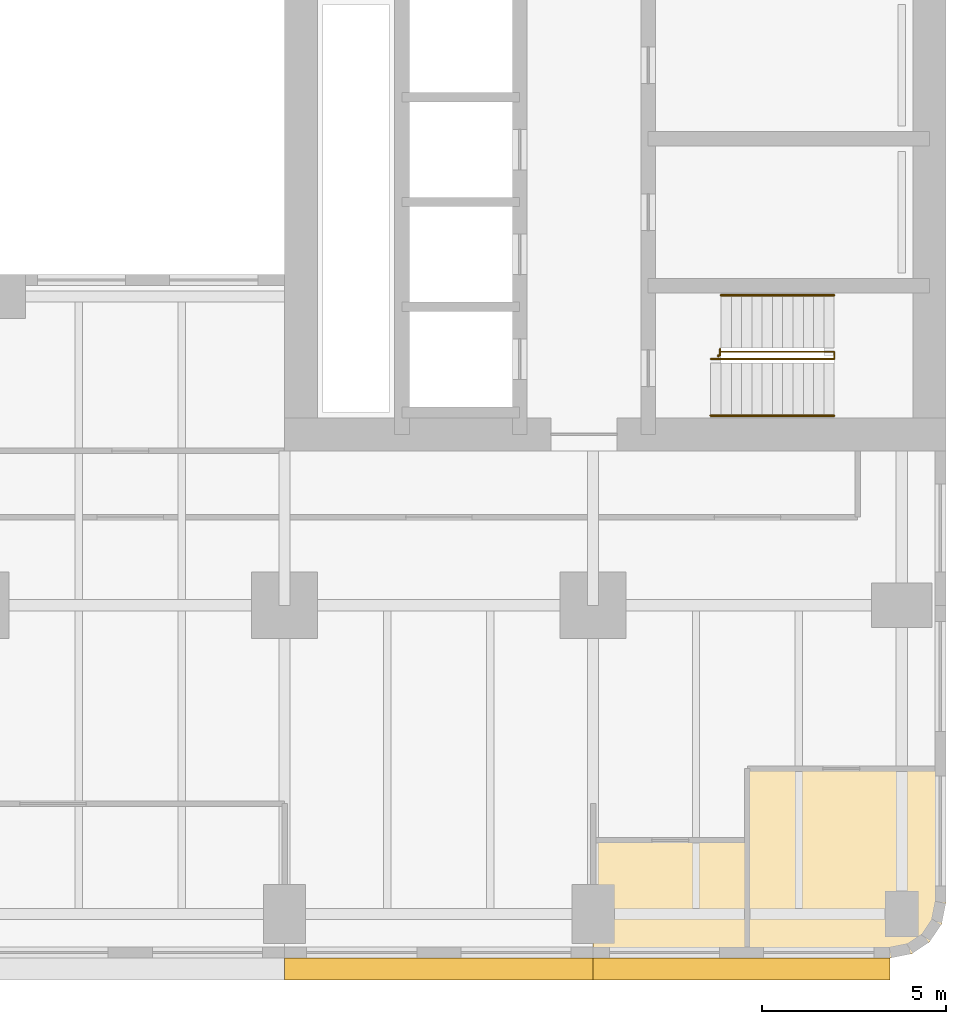
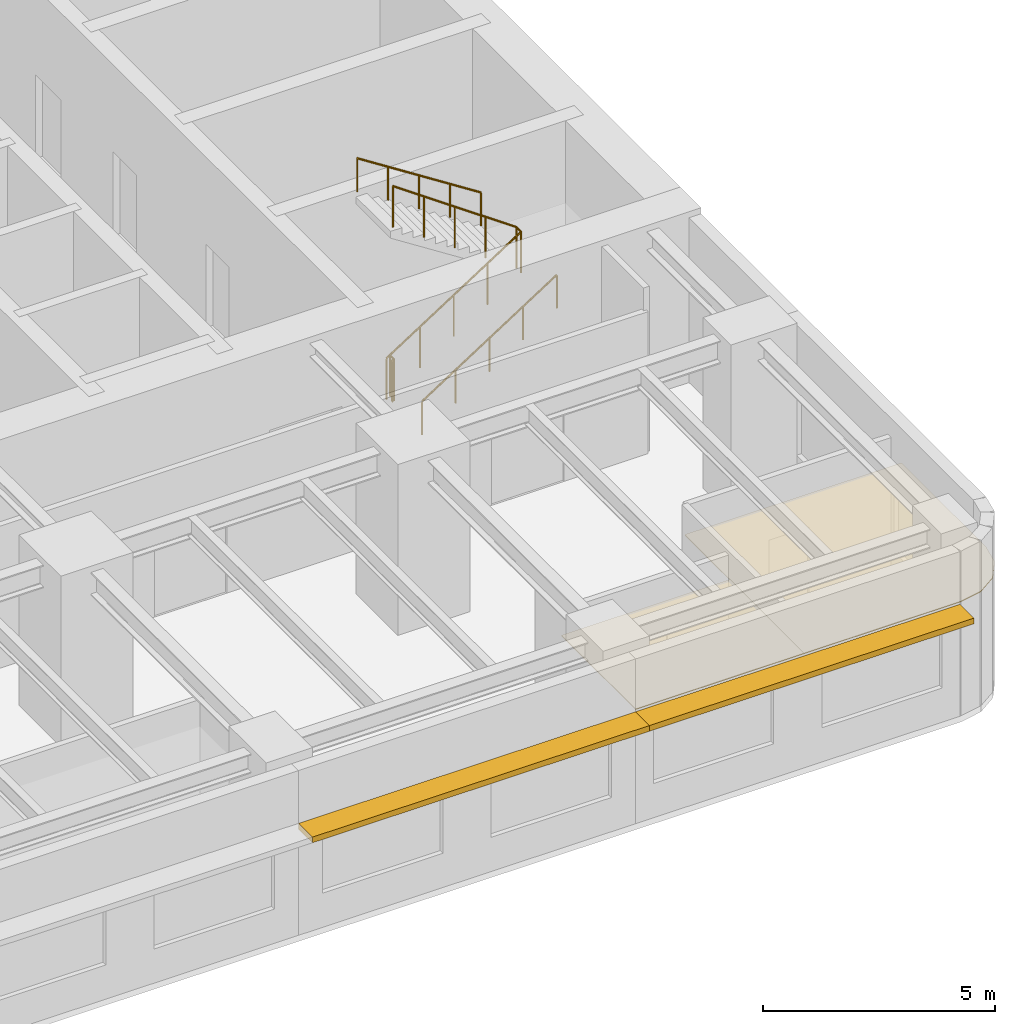
# One storey, part 10 of 12: 4 railings, 2 coverings, 2 shading devices.
"""IFC4 building model written with IfcOpenShell, lengths in metres."""

from ifc_helpers import new_model, si_unit, direction, frame, origin, origin_2d, place, context, subcontext, project, spatial, polyline, rectangle, circle, outline, extrude, material, layer, layer_set, type_object, element, save


model = new_model("IFC4")

# Units and contexts
model_context = context("Model", 3, precision=1e-05, world=origin(), true_north=direction((0.0, 1.0)))
body_context = subcontext(model_context, "Body", "Model", "MODEL_VIEW")
ifc_project = project(units=[si_unit("LENGTHUNIT", "METRE"), si_unit("AREAUNIT", "SQUARE_METRE"), si_unit("VOLUMEUNIT", "CUBIC_METRE"), si_unit("PLANEANGLEUNIT", "RADIAN"), si_unit("MASSUNIT", "GRAM", prefix="KILO")], contexts=[model_context])

# Site, building, storey
site_placement = place(None, origin())
site = spatial("IfcSite", under=ifc_project, at=site_placement, CompositionType="ELEMENT")
building_placement = place(site_placement, origin())
building = spatial("IfcBuilding", under=site, at=building_placement, Name="Claustro Exchange Tower", CompositionType="ELEMENT")
storey_placement = place(building_placement, frame((0.0, 0.0, 50.39990234375)))
storey = spatial("IfcBuildingStorey", under=building, at=storey_placement, Name="L11", CompositionType="ELEMENT", Elevation=50.39990234375)

# Coverings
ifc_material_1 = material(Name="Gypsum board ceiling", Category="gypsum board")
ifc_layer_1 = layer(ifc_material_1, 0.02490234375)
ifc_layer_set_1 = layer_set([ifc_layer_1], Name="Gypsum board ceiling")
covering_type = type_object("IfcCoveringType", Name="CL2 plasterboard ceiling", PredefinedType="CEILING", material=ifc_layer_set_1)
covering_1_placement = place(storey_placement, frame((0.0, 0.0, 3.0)))
element("IfcCovering", 1, at=covering_1_placement, inside=storey, type_object=covering_type, Name="Ceiling CL2 L11-01", PredefinedType="CEILING", context=body_context, shape_type="SweptSolid", body=[
    extrude(outline(polyline([(42.0, -1.199951171875), (46.199951171875, -1.199951171875), (46.199951171875, 2.0), (42.0, 2.0), (42.0, -1.199951171875)])), origin(), (0.0, 0.0, 1.0), 0.025146484375),
])
covering_2_placement = place(storey_placement, frame((0.0, 0.0, 3.0)))
element("IfcCovering", 2, at=covering_2_placement, inside=storey, type_object=covering_type, Name="Ceiling CL2 L11-06", PredefinedType="CEILING", context=body_context, shape_type="SweptSolid", body=[
    extrude(outline(polyline([(51.60009765625, 0.300048828125), (51.60009765625, 3.949951171875), (46.199951171875, 3.949951171875), (46.199951171875, -1.199951171875), (50.10009765625, -1.199951171875), (50.674072265625, -1.085693359375), (51.16064453125, -0.7607421875), (51.48583984375, -0.27392578125), (51.60009765625, 0.300048828125)])), origin(), (0.0, 0.0, 1.0), 0.025146484375),
])

# Railings
ifc_material_2 = material(Name="Steel balustrade, painted", Category="steel")
railing_type_1 = type_object("IfcRailingType", Name="GR2 1100 steel stair guard", PredefinedType="GUARDRAIL", material=ifc_material_2)
railing_1_placement = place(storey_placement, frame((45.199951171875, 15.10009765625, 0.18017578125)))
element("IfcRailing", 3, at=railing_1_placement, inside=storey, type_object=railing_type_1, Name="Stair well guard GR2 stair STEA L11", PredefinedType="GUARDRAIL", context=body_context, shape_type="SweptSolid", body=[
    extrude(circle(Radius=0.02392578125, at=origin_2d()), frame((0.0, 0.0, 1.076171875), z_axis=(0.84119634759, 0.0, 0.540729789082), x_axis=(0.0, 1.0, 0.0)), (0.0, 0.0, 1.0), 3.994384765625),
    extrude(circle(Radius=0.02392578125, at=origin_2d()), frame((3.360107421875, 0.0, 3.23583984375), z_axis=(0.0, 1.0, 0.0), x_axis=(-1.0, 0.0, 0.0)), (0.0, 0.0, 1.0), 0.199951171875),
    extrude(circle(Radius=0.02392578125, at=origin_2d()), frame((3.360107421875, 0.199951171875, 3.23583984375), z_axis=(-0.8187499073, 0.0, 0.574150319426), x_axis=(0.0, -1.0, 0.0)), (0.0, 0.0, 1.0), 3.761962890625),
    extrude(circle(Radius=0.02099609375, at=origin_2d()), origin(), (0.0, 0.0, 1.0), 1.052001953125),
    extrude(circle(Radius=0.02099609375, at=origin_2d()), frame((0.840087890625, 0.0, 0.5400390625)), (0.0, 0.0, 1.0), 1.052001953125),
    extrude(circle(Radius=0.02099609375, at=origin_2d()), frame((1.68017578125, 0.0, 1.080078125)), (0.0, 0.0, 1.0), 1.052001953125),
    extrude(circle(Radius=0.02099609375, at=origin_2d()), frame((2.52001953125, 0.0, 1.619873046875)), (0.0, 0.0, 1.0), 1.052001953125),
    extrude(circle(Radius=0.02099609375, at=origin_2d()), frame((3.360107421875, 0.0, 2.159912109375)), (0.0, 0.0, 1.0), 1.052001953125),
    extrude(circle(Radius=0.02099609375, at=origin_2d()), frame((3.360107421875, 0.199951171875, 2.159912109375)), (0.0, 0.0, 1.0), 1.052001953125),
    extrude(circle(Radius=0.02099609375, at=origin_2d()), frame((2.590087890625, 0.199951171875, 2.699951171875)), (0.0, 0.0, 1.0), 1.052001953125),
    extrude(circle(Radius=0.02099609375, at=origin_2d()), frame((1.820068359375, 0.199951171875, 3.23974609375)), (0.0, 0.0, 1.0), 1.052001953125),
    extrude(circle(Radius=0.02099609375, at=origin_2d()), frame((1.050048828125, 0.199951171875, 3.77978515625)), (0.0, 0.0, 1.0), 1.052001953125),
    extrude(circle(Radius=0.02099609375, at=origin_2d()), frame((0.280029296875, 0.199951171875, 4.31982421875)), (0.0, 0.0, 1.0), 1.052001953125),
])
railing_2_placement = place(storey_placement, frame((45.39990234375, 15.169921875, 0.0)))
element("IfcRailing", 4, at=railing_2_placement, inside=storey, type_object=railing_type_1, Name="Stair guard GR2 STEA L11", PredefinedType="GUARDRAIL", context=body_context, shape_type="SweptSolid", body=[
    extrude(circle(Radius=0.02392578125, at=origin_2d()), frame((0.0, 0.0, 1.076171875), z_axis=(0.0, 1.0, 0.0), x_axis=(-1.0, 0.0, 0.0)), (0.0, 0.0, 1.0), 0.030029296875),
    extrude(circle(Radius=0.02392578125, at=origin_2d()), frame((0.0, 0.030029296875, 1.076171875), z_axis=(1.0, 0.0, 0.0), x_axis=(0.0, 1.0, 0.0)), (0.0, 0.0, 1.0), 0.05517578125),
    extrude(circle(Radius=0.02392578125, at=origin_2d()), frame((0.05517578125, 0.030029296875, 1.076171875), z_axis=(0.0, 1.0, 0.0), x_axis=(-1.0, 0.0, 0.0)), (0.0, 0.0, 1.0), 0.179931640625),
    extrude(circle(Radius=0.02099609375, at=origin_2d()), origin(), (0.0, 0.0, 1.0), 1.052001953125),
    extrude(circle(Radius=0.02099609375, at=origin_2d()), frame((0.0, 0.030029296875, 0.0)), (0.0, 0.0, 1.0), 1.052001953125),
    extrude(circle(Radius=0.02099609375, at=origin_2d()), frame((0.05517578125, 0.030029296875, 0.0)), (0.0, 0.0, 1.0), 1.052001953125),
    extrude(circle(Radius=0.02099609375, at=origin_2d()), frame((0.05517578125, 0.2099609375, 0.0)), (0.0, 0.0, 1.0), 1.052001953125),
])
ifc_material_3 = material(Name="Stainless steel tube", Category="steel")
railing_type_2 = type_object("IfcRailingType", Name="HR1 900 stair handrail", PredefinedType="HANDRAIL", material=ifc_material_3)
railing_3_placement = place(storey_placement, frame((45.199951171875, 13.56005859375, 0.18017578125)))
element("IfcRailing", 5, at=railing_3_placement, inside=storey, type_object=railing_type_2, Name="Handrail HR1 stair STEA L11", PredefinedType="HANDRAIL", context=body_context, shape_type="SweptSolid", body=[
    extrude(circle(Radius=0.02392578125, at=origin_2d()), frame((0.0, 0.0, 0.8759765625), z_axis=(0.84119634759, 0.0, 0.540729789082), x_axis=(0.0, 1.0, 0.0)), (0.0, 0.0, 1.0), 3.994384765625),
    extrude(circle(Radius=0.02099609375, at=origin_2d()), origin(), (0.0, 0.0, 1.0), 0.851806640625),
    extrude(circle(Radius=0.02099609375, at=origin_2d()), frame((0.840087890625, 0.0, 0.5400390625)), (0.0, 0.0, 1.0), 0.851806640625),
    extrude(circle(Radius=0.02099609375, at=origin_2d()), frame((1.68017578125, 0.0, 1.080078125)), (0.0, 0.0, 1.0), 0.851806640625),
    extrude(circle(Radius=0.02099609375, at=origin_2d()), frame((2.52001953125, 0.0, 1.619873046875)), (0.0, 0.0, 1.0), 0.851806640625),
    extrude(circle(Radius=0.02099609375, at=origin_2d()), frame((3.360107421875, 0.0, 2.159912109375)), (0.0, 0.0, 1.0), 0.851806640625),
])
railing_4_placement = place(storey_placement, frame((48.56005859375, 16.840087890625, 2.52001953125)))
element("IfcRailing", 6, at=railing_4_placement, inside=storey, type_object=railing_type_2, Name="Handrail HR1 stair STEA L11", PredefinedType="HANDRAIL", context=body_context, shape_type="SweptSolid", body=[
    extrude(circle(Radius=0.02392578125, at=origin_2d()), frame((0.0, 0.0, 0.8759765625), z_axis=(-0.84118714077, 0.0, 0.540744111576), x_axis=(0.0, -1.0, 0.0)), (0.0, 0.0, 1.0), 3.66162109375),
    extrude(circle(Radius=0.02099609375, at=origin_2d()), origin(), (0.0, 0.0, 1.0), 0.851806640625),
    extrude(circle(Radius=0.02099609375, at=origin_2d()), frame((-0.77001953125, 0.0, 0.4951171875)), (0.0, 0.0, 1.0), 0.851806640625),
    extrude(circle(Radius=0.02099609375, at=origin_2d()), frame((-1.5400390625, 0.0, 0.989990234375)), (0.0, 0.0, 1.0), 0.851806640625),
    extrude(circle(Radius=0.02099609375, at=origin_2d()), frame((-2.31005859375, 0.0, 1.48486328125)), (0.0, 0.0, 1.0), 0.851806640625),
    extrude(circle(Radius=0.02099609375, at=origin_2d()), frame((-3.080078125, 0.0, 1.97998046875)), (0.0, 0.0, 1.0), 0.851806640625),
])

# Shading devices
ifc_material_4 = material(Name="Concrete HA-40 (C40/50), precast, white cement, acid-etched", Category="concrete")
ifc_layer_2 = layer(ifc_material_4, 0.14990234375)
ifc_layer_set_2 = layer_set([ifc_layer_2], Name="Concrete HA-40 (C40/50), precast, white cement, acid-etched")
shading_device_type = type_object("IfcShadingDeviceType", Name="SS1 600 precast concrete SUNSHADE", PredefinedType="SHUTTER", material=ifc_layer_set_2)
shading_device_1_placement = place(storey_placement, frame((46.04248046875, -1.5, 2.800048828125), z_axis=(0.0, 0.0, 1.0), x_axis=(-1.0, 0.0, 0.0)))
element("IfcShadingDevice", 7, at=shading_device_1_placement, inside=storey, type_object=shading_device_type, Name="Precast SUNSHADE SS1 L11", PredefinedType="SHUTTER", context=body_context, shape_type="SweptSolid", body=[
    extrude(rectangle(XDim=8.085205078125, YDim=0.60009765625, at=origin_2d()), origin(), (0.0, 0.0, 1.0), 0.14990234375),
])
shading_device_2_placement = place(storey_placement, frame((37.800048828125, -1.5, 2.800048828125), z_axis=(0.0, 0.0, 1.0), x_axis=(-1.0, 0.0, 0.0)))
element("IfcShadingDevice", 8, at=shading_device_2_placement, inside=storey, type_object=shading_device_type, Name="Precast SUNSHADE SS1 L11", PredefinedType="SHUTTER", context=body_context, shape_type="SweptSolid", body=[
    extrude(rectangle(XDim=8.39990234375, YDim=0.60009765625, at=origin_2d()), origin(), (0.0, 0.0, 1.0), 0.14990234375),
])

save(model, "model.ifc")
